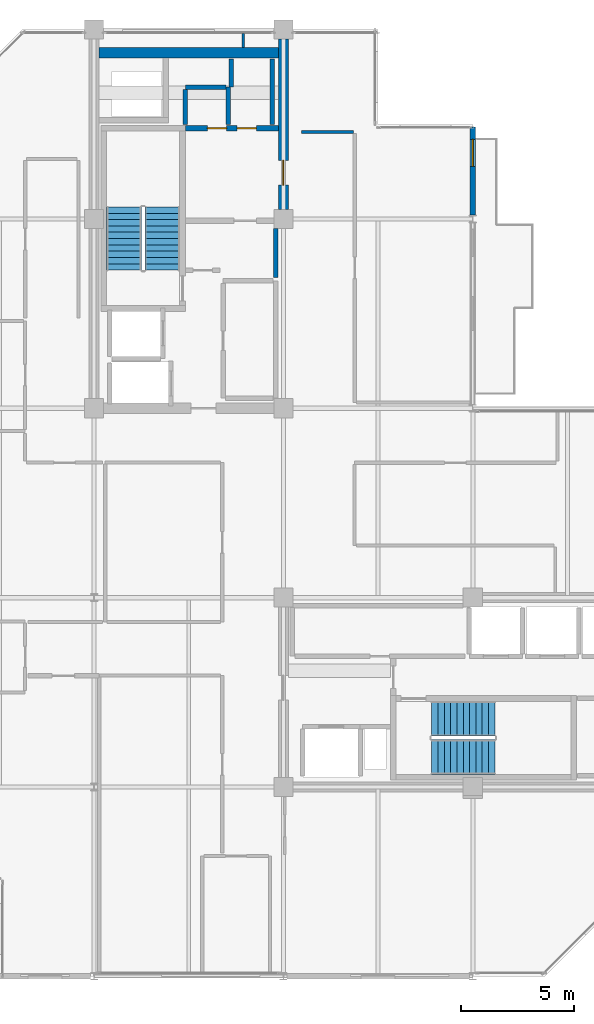
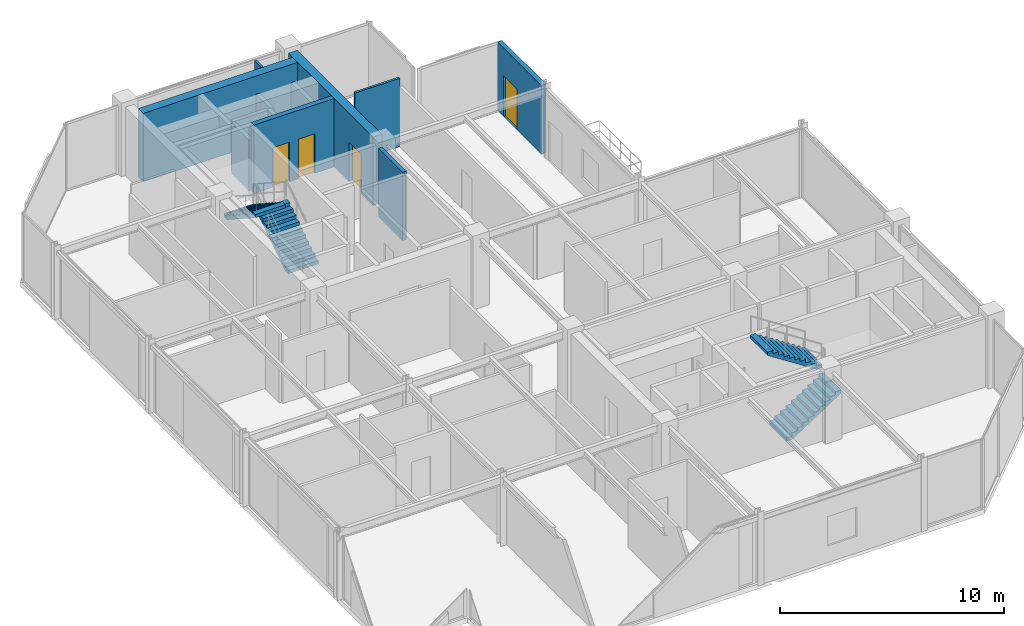
# One storey, part 22 of 24: 12 walls, 4 doors, 4 stair flights, 4 openings, 2 elements without a shape of their own.
"""IFC4 building model written with IfcOpenShell, lengths in metres."""

from ifc_helpers import new_model, si_unit, direction, frame, frame_2d, origin, place, context, subcontext, project, spatial, polyline, rectangle, outline, extrude, material, layer, layer_set, type_object, element, fill, aggregate, save


model = new_model("IFC4")

# Units and contexts
model_context = context("Model", 3, precision=1e-05, world=origin(), true_north=direction((0.0, 1.0)))
body_context = subcontext(model_context, "Body", "Model", "MODEL_VIEW")
ifc_project = project(units=[si_unit("LENGTHUNIT", "METRE"), si_unit("AREAUNIT", "SQUARE_METRE"), si_unit("VOLUMEUNIT", "CUBIC_METRE"), si_unit("PLANEANGLEUNIT", "RADIAN"), si_unit("MASSUNIT", "GRAM", prefix="KILO")], contexts=[model_context])

# Site, building, storey
site_placement = place(None, origin())
site = spatial("IfcSite", under=ifc_project, at=site_placement, CompositionType="ELEMENT")
building_placement = place(site_placement, origin())
building = spatial("IfcBuilding", under=site, at=building_placement, Name="Nerrivon Quay Data Exchange", CompositionType="ELEMENT")
storey_placement = place(building_placement, frame((0.0, 0.0, 306.199951171875)))
storey = spatial("IfcBuildingStorey", under=building, at=storey_placement, Name="L73", CompositionType="ELEMENT", Elevation=306.199951171875)

# Wall, opening, door
ifc_material_1 = material(Name="Architectural terracotta precast concrete N50 (50 MPa)", Category="masonry")
ifc_layer_1 = layer(ifc_material_1, 0.239990234375)
ifc_layer_set_1 = layer_set([ifc_layer_1], Name="Architectural terracotta precast concrete N50 (50 MPa)")
wall_type_1 = type_object("IfcWallType", Name="EW-PREC-240", PredefinedType="STANDARD", material=ifc_layer_set_1)
wall_1_placement = place(storey_placement, frame((25.199951171875, 37.679931640625, 0.0), z_axis=(0.0, 0.0, 1.0), x_axis=(0.0, -1.0, 0.0)))
wall_1 = element("IfcWall", 1, at=wall_1_placement, inside=storey, type_object=wall_type_1, Name="L73 Terrace Host Wall 19", PredefinedType="STANDARD", context=body_context, shape_type="SweptSolid", body=[
    extrude(rectangle(XDim=3.91650390625, YDim=0.239990234375, at=frame_2d((1.958251953125, 0.0))), origin(), (0.0, 0.0, 1.0), 3.72509765625),
])
opening_1_placement = place(wall_1_placement, frame((0.550048828125, 0.0, 0.0)))
opening_1 = element("IfcOpeningElement", 2, at=opening_1_placement, cuts=wall_1, Name="Opening TD1", PredefinedType="OPENING", context=body_context, shape_type="SweptSolid", body=[
    extrude(rectangle(XDim=1.199951171875, YDim=2.199951171875, at=frame_2d((0.60009765625, 1.10009765625))), frame((0.0, 0.1298828125, 0.0), z_axis=(0.0, -1.0, 0.0), x_axis=(1.0, 0.0, 0.0)), (0.0, 0.0, 1.0), 0.260009765625),
])
ifc_material_2 = material(Name="Double-glazed low-E solar control glass", Category="glass")
door_type_1 = type_object("IfcDoorType", Name="DR-TERR-1200x2200", OperationType="NOTDEFINED", PredefinedType="DOOR", material=ifc_material_2)
door_1_placement = place(opening_1_placement, origin())
door_1 = element("IfcDoor", 3, at=door_1_placement, inside=storey, type_object=door_type_1, Name="L73 Outdoor Terrace Access Door 19", OperationType="SINGLE_SWING_RIGHT", OverallHeight=2.199951171875, OverallWidth=1.199951171875, PredefinedType="DOOR", context=body_context, shape_type="SweptSolid", body=[
    extrude(rectangle(XDim=1.199951171875, YDim=2.199951171875, at=frame_2d((0.60009765625, 1.10009765625))), frame((0.0, 0.02490234375, 0.0), z_axis=(0.0, -1.0, 0.0), x_axis=(1.0, 0.0, 0.0)), (0.0, 0.0, 1.0), 0.050048828125),
])
fill(opening_1, door_1)

# Wall
ifc_material_3 = material(Name="Concrete N50 (50 MPa)", Category="concrete")
ifc_layer_2 = layer(ifc_material_3, 0.449951171875)
ifc_layer_set_2 = layer_set([ifc_layer_2], Name="Concrete N50 (50 MPa)")
wall_type_2 = type_object("IfcWallType", Name="WALL-CW-550", PredefinedType="SHEAR", material=ifc_layer_set_2)
wall_2_placement = place(storey_placement, frame((8.625, 40.97509765625, 0.0), z_axis=(0.0, 0.0, 1.0), x_axis=(1.0, 0.0, 0.0)))
element("IfcWall", 4, at=wall_2_placement, inside=storey, type_object=wall_type_2, Name="L73 West Split-Core Shear Wall WCW-N1", PredefinedType="SHEAR", context=body_context, shape_type="SweptSolid", body=[
    extrude(rectangle(XDim=7.949951171875, YDim=0.449951171875, at=frame_2d((3.97509765625, 0.0))), origin(), (0.0, 0.0, 1.0), 3.72509765625),
])

# Wall, opening, door
wall_3_placement = place(storey_placement, frame((16.800048828125, 34.02490234375, 0.0), z_axis=(0.0, 0.0, 1.0), x_axis=(0.0, 1.0, 0.0)))
wall_3 = element("IfcWall", 5, at=wall_3_placement, inside=storey, type_object=wall_type_2, Name="L73 West Split-Core Shear Wall WCW-E1", PredefinedType="SHEAR", context=body_context, shape_type="SweptSolid", body=[
    extrude(rectangle(XDim=7.550048828125, YDim=0.449951171875, at=frame_2d((3.77490234375, 0.0))), origin(), (0.0, 0.0, 1.0), 3.72509765625),
])
opening_2_placement = place(wall_3_placement, frame((1.074951171875, 0.0, 0.0)))
opening_2 = element("IfcOpeningElement", 6, at=opening_2_placement, cuts=wall_3, Name="Opening FD-120", PredefinedType="OPENING", context=body_context, shape_type="SweptSolid", body=[
    extrude(rectangle(XDim=1.10009765625, YDim=2.14990234375, at=frame_2d((0.550048828125, 1.074951171875))), frame((0.0, 0.23486328125, 0.0), z_axis=(0.0, -1.0, 0.0), x_axis=(1.0, 0.0, 0.0)), (0.0, 0.0, 1.0), 0.469970703125),
])
ifc_material_4 = material(Name="Powder-coated galvanized steel sheet", Category="steel")
door_type_2 = type_object("IfcDoorType", Name="DR-FD120-1100", OperationType="NOTDEFINED", PredefinedType="DOOR", material=ifc_material_4)
door_2_placement = place(opening_2_placement, origin())
door_2 = element("IfcDoor", 7, at=door_2_placement, inside=storey, type_object=door_type_2, Name="L73 West Core Lobby Fire Door", OperationType="SINGLE_SWING_LEFT", OverallHeight=2.14990234375, OverallWidth=1.10009765625, PredefinedType="DOOR", context=body_context, shape_type="SweptSolid", body=[
    extrude(rectangle(XDim=1.10009765625, YDim=2.14990234375, at=frame_2d((0.550048828125, 1.074951171875))), frame((0.0, 0.02490234375, 0.0), z_axis=(0.0, -1.0, 0.0), x_axis=(1.0, 0.0, 0.0)), (0.0, 0.0, 1.0), 0.050048828125),
])
fill(opening_2, door_2)

# Walls
ifc_material_5 = material(Name="Gypsum plasterboard on cold-formed framing", Category="gypsum")
ifc_layer_3 = layer(ifc_material_5, 0.199951171875)
ifc_layer_set_3 = layer_set([ifc_layer_3], Name="Gypsum plasterboard on cold-formed framing")
wall_type_3 = type_object("IfcWallType", Name="WALL-FW-200", PredefinedType="PARTITIONING", material=ifc_layer_set_3)
wall_4_placement = place(storey_placement, frame((16.449951171875, 31.0, 0.0), z_axis=(0.0, 0.0, 1.0), x_axis=(0.0, 1.0, 0.0)))
element("IfcWall", 8, at=wall_4_placement, inside=storey, type_object=wall_type_3, Name="L73 Partition Core Equipment Closet", PredefinedType="PARTITIONING", context=body_context, shape_type="SweptSolid", body=[
    extrude(rectangle(XDim=2.169921875, YDim=0.199951171875, at=frame_2d((1.0849609375, 0.0))), origin(), (0.0, 0.0, 1.0), 3.72509765625),
])
wall_5_placement = place(storey_placement, frame((14.35009765625, 37.780029296875, 0.0), z_axis=(0.0, 0.0, 1.0), x_axis=(0.0, 1.0, 0.0)))
element("IfcWall", 9, at=wall_5_placement, inside=storey, type_object=wall_type_3, Name="L73 Partition Equipment Store", PredefinedType="PARTITIONING", context=body_context, shape_type="SweptSolid", body=[
    extrude(rectangle(XDim=1.669921875, YDim=0.199951171875, at=frame_2d((0.8349609375, 0.0))), origin(), (0.0, 0.0, 1.0), 2.775146484375),
])
wall_6_placement = place(storey_placement, frame((14.24609375, 39.449951171875, 0.0), z_axis=(0.0, 0.0, 1.0), x_axis=(-1.0, 0.0, 0.0)))
element("IfcWall", 10, at=wall_6_placement, inside=storey, type_object=wall_type_3, Name="L73 Partition Equipment Store", PredefinedType="PARTITIONING", context=body_context, shape_type="SweptSolid", body=[
    extrude(rectangle(XDim=1.796142578125, YDim=0.199951171875, at=frame_2d((0.89794921875, 0.0))), origin(), (0.0, 0.0, 1.0), 2.775146484375),
])
wall_7_placement = place(storey_placement, frame((12.449951171875, 39.345947265625, 0.0), z_axis=(0.0, 0.0, 1.0), x_axis=(0.0, -1.0, 0.0)))
element("IfcWall", 11, at=wall_7_placement, inside=storey, type_object=wall_type_3, Name="L73 Partition Equipment Store", PredefinedType="PARTITIONING", context=body_context, shape_type="SweptSolid", body=[
    extrude(rectangle(XDim=1.56591796875, YDim=0.199951171875, at=frame_2d((0.782958984375, 0.0))), origin(), (0.0, 0.0, 1.0), 2.775146484375),
])
wall_8_placement = place(storey_placement, frame((16.300048828125, 37.780029296875, 0.0), z_axis=(0.0, 0.0, 1.0), x_axis=(0.0, 1.0, 0.0)))
element("IfcWall", 12, at=wall_8_placement, inside=storey, type_object=wall_type_3, Name="L73 Partition Cleaners Store", PredefinedType="PARTITIONING", context=body_context, shape_type="SweptSolid", body=[
    extrude(rectangle(XDim=2.919921875, YDim=0.199951171875, at=frame_2d((1.4599609375, 0.0))), origin(), (0.0, 0.0, 1.0), 2.775146484375),
])
wall_9_placement = place(storey_placement, frame((14.489990234375, 40.699951171875, 0.0), z_axis=(0.0, 0.0, 1.0), x_axis=(0.0, -1.0, 0.0)))
element("IfcWall", 13, at=wall_9_placement, inside=storey, type_object=wall_type_3, Name="L73 Partition Cleaners Store", PredefinedType="PARTITIONING", context=body_context, shape_type="SweptSolid", body=[
    extrude(rectangle(XDim=1.25, YDim=0.199951171875, at=frame_2d((0.625, 0.0))), origin(), (0.0, 0.0, 1.0), 2.775146484375),
])
ifc_layer_4 = layer(ifc_material_5, 0.1201171875)
ifc_layer_set_4 = layer_set([ifc_layer_4], Name="Gypsum plasterboard on cold-formed framing")
wall_type_4 = type_object("IfcWallType", Name="WALL-PT-120", PredefinedType="PARTITIONING", material=ifc_layer_set_4)
wall_10_placement = place(storey_placement, frame((15.0234375, 41.2041015625, 0.0), z_axis=(0.0, 0.0, 1.0), x_axis=(0.0, 1.0, 0.0)))
element("IfcWall", 14, at=wall_10_placement, inside=storey, type_object=wall_type_4, Name="L73 Partition Technical Library", PredefinedType="PARTITIONING", context=body_context, shape_type="SweptSolid", body=[
    extrude(rectangle(XDim=0.626953125, YDim=0.1201171875, at=frame_2d((0.3134765625, 0.0))), origin(), (0.0, 0.0, 1.0), 3.72509765625),
])
wall_11_placement = place(storey_placement, frame((17.60009765625, 37.4599609375, 0.0), z_axis=(0.0, 0.0, 1.0), x_axis=(1.0, 0.0, 0.0)))
element("IfcWall", 15, at=wall_11_placement, inside=storey, type_object=wall_type_4, Name="L73 Partition Cloud Compute Workspace 1", PredefinedType="PARTITIONING", context=body_context, shape_type="SweptSolid", body=[
    extrude(rectangle(XDim=2.2998046875, YDim=0.1201171875, at=frame_2d((1.14990234375, 0.0))), origin(), (0.0, 0.0, 1.0), 3.72509765625),
])

# Wall, openings, doors
ifc_layer_5 = layer(ifc_material_3, 0.25)
ifc_layer_set_5 = layer_set([ifc_layer_5], Name="Concrete N50 (50 MPa)")
wall_type_5 = type_object("IfcWallType", Name="WALL-SW-250", PredefinedType="SHEAR", material=ifc_layer_set_5)
wall_12_placement = place(storey_placement, frame((12.449951171875, 37.625, 0.0), z_axis=(0.0, 0.0, 1.0), x_axis=(1.0, 0.0, 0.0)))
wall_12 = element("IfcWall", 16, at=wall_12_placement, inside=storey, type_object=wall_type_5, Name="L73 West Firefighting Lobby Wall", PredefinedType="SHEAR", context=body_context, shape_type="SweptSolid", body=[
    extrude(rectangle(XDim=4.125, YDim=0.25, at=frame_2d((2.0625, 0.0))), origin(), (0.0, 0.0, 1.0), 3.72509765625),
])
opening_3_placement = place(wall_12_placement, frame((0.9775390625, 0.0, 0.0)))
opening_3 = element("IfcOpeningElement", 17, at=opening_3_placement, cuts=wall_12, Name="Opening FD-60S", PredefinedType="OPENING", context=body_context, shape_type="SweptSolid", body=[
    extrude(rectangle(XDim=0.85009765625, YDim=2.14990234375, at=frame_2d((0.425048828125, 1.074951171875))), frame((0.0, 0.135009765625, 0.0), z_axis=(0.0, -1.0, 0.0), x_axis=(1.0, 0.0, 0.0)), (0.0, 0.0, 1.0), 0.27001953125),
])
opening_4_placement = place(wall_12_placement, frame((2.297607421875, 0.0, 0.0)))
opening_4 = element("IfcOpeningElement", 18, at=opening_4_placement, cuts=wall_12, Name="Opening FD-60S", PredefinedType="OPENING", context=body_context, shape_type="SweptSolid", body=[
    extrude(rectangle(XDim=0.85009765625, YDim=2.14990234375, at=frame_2d((0.425048828125, 1.074951171875))), frame((0.0, 0.135009765625, 0.0), z_axis=(0.0, -1.0, 0.0), x_axis=(1.0, 0.0, 0.0)), (0.0, 0.0, 1.0), 0.27001953125),
])
ifc_material_6 = material(Name="Engineered hardwood timber", Category="wood")
door_type_3 = type_object("IfcDoorType", Name="DR-FD60-850", OperationType="NOTDEFINED", PredefinedType="DOOR", material=ifc_material_6)
door_3_placement = place(opening_3_placement, origin())
door_3 = element("IfcDoor", 19, at=door_3_placement, inside=storey, type_object=door_type_3, Name="L73 Door Equipment Store", OperationType="SINGLE_SWING_RIGHT", OverallHeight=2.14990234375, OverallWidth=0.85009765625, PredefinedType="DOOR", context=body_context, shape_type="SweptSolid", body=[
    extrude(rectangle(XDim=0.85009765625, YDim=2.14990234375, at=frame_2d((0.425048828125, 1.074951171875))), frame((0.0, 0.02490234375, 0.0), z_axis=(0.0, -1.0, 0.0), x_axis=(1.0, 0.0, 0.0)), (0.0, 0.0, 1.0), 0.050048828125),
])
fill(opening_3, door_3)
door_4_placement = place(opening_4_placement, origin())
door_4 = element("IfcDoor", 20, at=door_4_placement, inside=storey, type_object=door_type_3, Name="L73 Door Cleaners Store", OperationType="SINGLE_SWING_LEFT", OverallHeight=2.14990234375, OverallWidth=0.85009765625, PredefinedType="DOOR", context=body_context, shape_type="SweptSolid", body=[
    extrude(rectangle(XDim=0.85009765625, YDim=2.14990234375, at=frame_2d((0.425048828125, 1.074951171875))), frame((0.0, 0.02490234375, 0.0), z_axis=(0.0, -1.0, 0.0), x_axis=(1.0, 0.0, 0.0)), (0.0, 0.0, 1.0), 0.050048828125),
])
fill(opening_4, door_4)

# Stair, stair flights
stair_type = type_object("IfcStairType", Name="STAIR-DOG-40", PredefinedType="HALF_TURN_STAIR", material=ifc_material_3)
stair_1_placement = place(storey_placement, origin())
stair_1 = element("IfcStair", 21, at=stair_1_placement, inside=storey, type_object=stair_type, Name="L73 West Core Fire Stair ST01", PredefinedType="HALF_TURN_STAIR")
stair_flight_type = type_object("IfcStairFlightType", Name="FLIGHT-DOG-40", PredefinedType="STRAIGHT", material=ifc_material_3)
stair_flight_1_placement = place(storey_placement, frame((11.425048828125, 31.330078125, 0.0), z_axis=(0.0, 0.0, 1.0), x_axis=(0.0, 1.0, 0.0)))
stair_flight_1 = element("IfcStairFlight", 22, at=stair_flight_1_placement, type_object=stair_flight_type, Name="ST01 flight 1", NumberOfRisers=11, NumberOfTreads=10, PredefinedType="STRAIGHT", RiserHeight=0.181818182, TreadLength=0.28, context=body_context, shape_type="SweptSolid", body=[
    extrude(outline(polyline([(0.0, 0.0), (0.0, 0.181884765625), (0.280029296875, 0.181884765625), (0.280029296875, 0.363525390625), (0.56005859375, 0.363525390625), (0.56005859375, 0.54541015625), (0.840087890625, 0.54541015625), (0.840087890625, 0.727294921875), (1.1201171875, 0.727294921875), (1.1201171875, 0.9091796875), (1.39990234375, 0.9091796875), (1.39990234375, 1.0908203125), (1.679931640625, 1.0908203125), (1.679931640625, 1.272705078125), (1.9599609375, 1.272705078125), (1.9599609375, 1.45458984375), (2.239990234375, 1.45458984375), (2.239990234375, 1.636474609375), (2.52001953125, 1.636474609375), (2.52001953125, 1.818115234375), (2.800048828125, 1.818115234375), (2.800048828125, 2.0), (2.800048828125, 1.639404296875), (0.275146484375, 0.0), (0.0, 0.0)])), frame((0.0, 0.77490234375, 0.0), z_axis=(0.0, -1.0, 0.0), x_axis=(1.0, 0.0, 0.0)), (0.0, 0.0, 1.0), 1.550048828125),
])
stair_flight_2_placement = place(storey_placement, frame((9.72509765625, 34.1298828125, 2.0), z_axis=(0.0, 0.0, 1.0), x_axis=(0.0, -1.0, 0.0)))
stair_flight_2 = element("IfcStairFlight", 23, at=stair_flight_2_placement, type_object=stair_flight_type, Name="ST01 flight 2", NumberOfRisers=11, NumberOfTreads=10, PredefinedType="STRAIGHT", RiserHeight=0.181818182, TreadLength=0.28, context=body_context, shape_type="SweptSolid", body=[
    extrude(outline(polyline([(0.0, 0.0), (0.0, 0.181884765625), (0.280029296875, 0.181884765625), (0.280029296875, 0.363525390625), (0.56005859375, 0.363525390625), (0.56005859375, 0.54541015625), (0.840087890625, 0.54541015625), (0.840087890625, 0.727294921875), (1.1201171875, 0.727294921875), (1.1201171875, 0.9091796875), (1.39990234375, 0.9091796875), (1.39990234375, 1.0908203125), (1.679931640625, 1.0908203125), (1.679931640625, 1.272705078125), (1.9599609375, 1.272705078125), (1.9599609375, 1.45458984375), (2.239990234375, 1.45458984375), (2.239990234375, 1.636474609375), (2.52001953125, 1.636474609375), (2.52001953125, 1.818115234375), (2.800048828125, 1.818115234375), (2.800048828125, 2.0), (2.800048828125, 1.639404296875), (0.275146484375, 0.0), (0.0, 0.0)])), frame((0.0, 0.77490234375, 0.0), z_axis=(0.0, -1.0, 0.0), x_axis=(1.0, 0.0, 0.0)), (0.0, 0.0, 1.0), 1.550048828125),
])
aggregate(stair_1, [stair_flight_1, stair_flight_2])

stair_2_placement = place(storey_placement, origin())
stair_2 = element("IfcStair", 24, at=stair_2_placement, inside=storey, type_object=stair_type, Name="L73 East Core Fire Stair ST02", PredefinedType="HALF_TURN_STAIR")
stair_flight_3_placement = place(storey_placement, frame((23.3798828125, 9.72509765625, 0.0), z_axis=(0.0, 0.0, 1.0), x_axis=(1.0, 0.0, 0.0)))
stair_flight_3 = element("IfcStairFlight", 25, at=stair_flight_3_placement, type_object=stair_flight_type, Name="ST02 flight 1", NumberOfRisers=11, NumberOfTreads=10, PredefinedType="STRAIGHT", RiserHeight=0.181818182, TreadLength=0.28, context=body_context, shape_type="SweptSolid", body=[
    extrude(outline(polyline([(0.0, 0.0), (0.0, 0.181884765625), (0.280029296875, 0.181884765625), (0.280029296875, 0.363525390625), (0.56005859375, 0.363525390625), (0.56005859375, 0.54541015625), (0.840087890625, 0.54541015625), (0.840087890625, 0.727294921875), (1.1201171875, 0.727294921875), (1.1201171875, 0.9091796875), (1.39990234375, 0.9091796875), (1.39990234375, 1.0908203125), (1.679931640625, 1.0908203125), (1.679931640625, 1.272705078125), (1.9599609375, 1.272705078125), (1.9599609375, 1.45458984375), (2.239990234375, 1.45458984375), (2.239990234375, 1.636474609375), (2.52001953125, 1.636474609375), (2.52001953125, 1.818115234375), (2.800048828125, 1.818115234375), (2.800048828125, 2.0), (2.800048828125, 1.639404296875), (0.275146484375, 0.0), (0.0, 0.0)])), frame((0.0, 0.77490234375, 0.0), z_axis=(0.0, -1.0, 0.0), x_axis=(1.0, 0.0, 0.0)), (0.0, 0.0, 1.0), 1.550048828125),
])
stair_flight_4_placement = place(storey_placement, frame((26.179931640625, 11.425048828125, 2.0), z_axis=(0.0, 0.0, 1.0), x_axis=(-1.0, 0.0, 0.0)))
stair_flight_4 = element("IfcStairFlight", 26, at=stair_flight_4_placement, type_object=stair_flight_type, Name="ST02 flight 2", NumberOfRisers=11, NumberOfTreads=10, PredefinedType="STRAIGHT", RiserHeight=0.181818182, TreadLength=0.28, context=body_context, shape_type="SweptSolid", body=[
    extrude(outline(polyline([(0.0, 0.0), (0.0, 0.181884765625), (0.280029296875, 0.181884765625), (0.280029296875, 0.363525390625), (0.56005859375, 0.363525390625), (0.56005859375, 0.54541015625), (0.840087890625, 0.54541015625), (0.840087890625, 0.727294921875), (1.1201171875, 0.727294921875), (1.1201171875, 0.9091796875), (1.39990234375, 0.9091796875), (1.39990234375, 1.0908203125), (1.679931640625, 1.0908203125), (1.679931640625, 1.272705078125), (1.9599609375, 1.272705078125), (1.9599609375, 1.45458984375), (2.239990234375, 1.45458984375), (2.239990234375, 1.636474609375), (2.52001953125, 1.636474609375), (2.52001953125, 1.818115234375), (2.800048828125, 1.818115234375), (2.800048828125, 2.0), (2.800048828125, 1.639404296875), (0.275146484375, 0.0), (0.0, 0.0)])), frame((0.0, 0.77490234375, 0.0), z_axis=(0.0, -1.0, 0.0), x_axis=(1.0, 0.0, 0.0)), (0.0, 0.0, 1.0), 1.550048828125),
])
aggregate(stair_2, [stair_flight_3, stair_flight_4])

save(model, "model.ifc")
